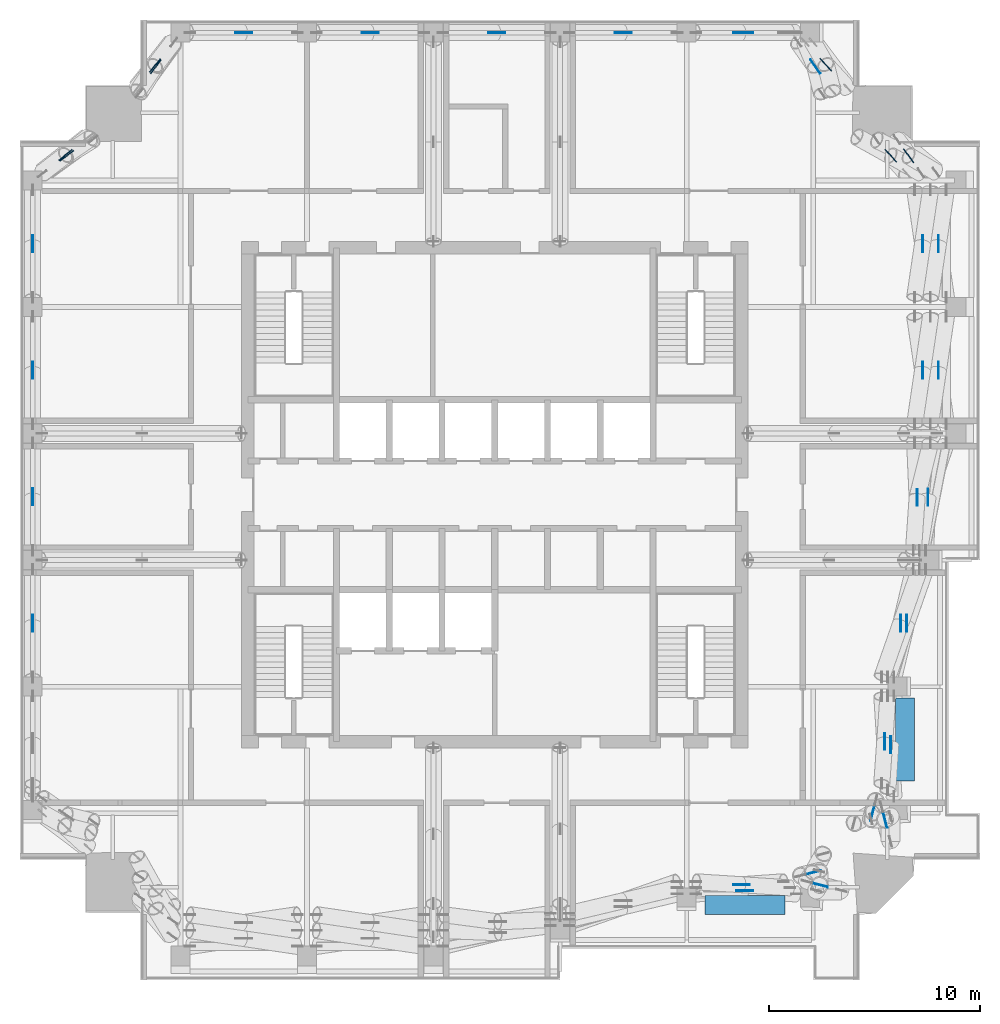
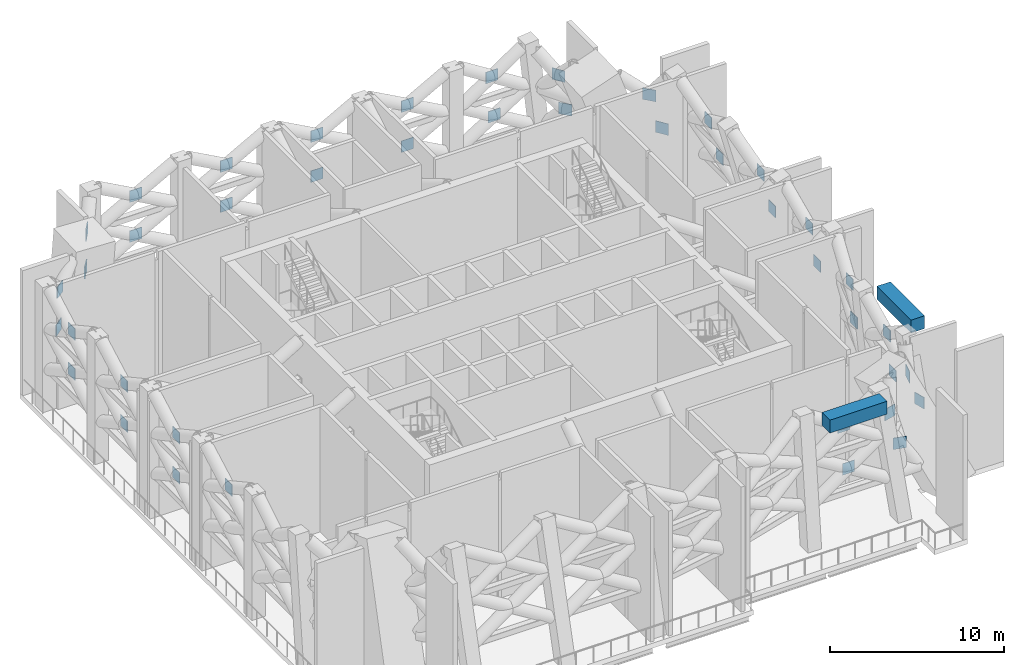
# One storey, part 11 of 18: 43 discrete accessories.
"""IFC4 building model written with IfcOpenShell, lengths in metres."""

from ifc_helpers import new_model, si_unit, direction, frame, origin, origin_2d, place, context, subcontext, project, spatial, rectangle, extrude, element, save


model = new_model("IFC4")

# Units and contexts
model_context = context("Model", 3, precision=1e-05, world=origin(), true_north=direction((0.0, 1.0)))
body_context = subcontext(model_context, "Body", "Model", "MODEL_VIEW")
ifc_project = project(units=[si_unit("LENGTHUNIT", "METRE"), si_unit("AREAUNIT", "SQUARE_METRE"), si_unit("VOLUMEUNIT", "CUBIC_METRE"), si_unit("PLANEANGLEUNIT", "RADIAN"), si_unit("MASSUNIT", "GRAM", prefix="KILO")], contexts=[model_context])

# Site, building, storey
site_placement = place(None, origin())
site = spatial("IfcSite", under=ifc_project, at=site_placement, CompositionType="ELEMENT")
building_placement = place(site_placement, origin())
building = spatial("IfcBuilding", under=site, at=building_placement, Name="Amberfall Residences", CompositionType="ELEMENT")
storey_placement = place(building_placement, frame((0.0, 0.0, 229.89990234375)))
storey = spatial("IfcBuildingStorey", under=building, at=storey_placement, Name="L62", CompositionType="ELEMENT", Elevation=229.89990234375)

# Discrete accessories
for number, where, z_axis, x_axis, name in (
    (1, (86.348876953125, 26.7275390625, 3.9462890625), (0.0, 0.0, 1.0), (1.0, 0.0, 0.0), "Connection plate L62"),
    (2, (86.19677734375, 27.015869140625, 6.74951171875), (0.0, 0.0, 1.0), (1.0, 0.0, 0.0), "Connection plate L62"),
    (3, (93.273193359375, 33.651123046875, 3.9462890625), (0.0, 0.0, 1.0), (0.0, 1.0, 0.0), "Connection plate L62"),
    (4, (92.98486328125, 33.80322265625, 6.74951171875), (0.0, 0.0, 1.0), (0.0, 1.0, 0.0), "Connection plate L62"),
    (5, (94.027587890625, 39.39990234375, 3.89990234375), (0.0, 0.0, 1.0), (0.0, 1.0, 0.0), "Connection plate L62"),
    (6, (93.740234375, 39.39990234375, 6.7001953125), (0.0, 0.0, 1.0), (0.0, 1.0, 0.0), "Connection plate L62"),
    (7, (95.037353515625, 45.37890625, 3.888671875), (0.0, 0.0, 1.0), (0.0, 1.0, 0.0), "Connection plate L62"),
    (8, (94.52001953125, 45.368408203125, 6.6826171875), (0.0, 0.0, 1.0), (0.0, 1.0, 0.0), "Connection plate L62"),
    (9, (95.53173828125, 51.39990234375, 3.89990234375), (0.0, 0.0, 1.0), (0.0, 1.0, 0.0), "Connection plate L62"),
    (10, (94.779296875, 51.39990234375, 6.7001953125), (0.0, 0.0, 1.0), (0.0, 1.0, 0.0), "Connection plate L62"),
    (11, (95.53173828125, 57.39990234375, 3.89990234375), (0.0, 0.0, 1.0), (0.0, 1.0, 0.0), "Connection plate L62"),
    (12, (94.779296875, 57.39990234375, 6.7001953125), (0.0, 0.0, 1.0), (0.0, 1.0, 0.0), "Connection plate L62"),
    (13, (62.60009765625, 67.39990234375, 3.89990234375), (0.0, 0.0, 1.0), (1.0, 0.0, 0.0), "Connection plate L62"),
    (14, (62.60009765625, 67.39990234375, 6.7001953125), (0.0, 0.0, 1.0), (1.0, 0.0, 0.0), "Connection plate L62"),
    (15, (68.60009765625, 67.39990234375, 3.89990234375), (0.0, 0.0, 1.0), (1.0, 0.0, 0.0), "Connection plate L62"),
    (16, (68.60009765625, 67.39990234375, 6.7001953125), (0.0, 0.0, 1.0), (1.0, 0.0, 0.0), "Connection plate L62"),
    (17, (74.60009765625, 67.39990234375, 3.89990234375), (0.0, 0.0, 1.0), (1.0, 0.0, 0.0), "Connection plate L62"),
    (18, (74.60009765625, 67.39990234375, 6.7001953125), (0.0, 0.0, 1.0), (1.0, 0.0, 0.0), "Connection plate L62"),
    (19, (80.60009765625, 67.39990234375, 3.89990234375), (0.0, 0.0, 1.0), (1.0, 0.0, 0.0), "Connection plate L62"),
    (20, (80.60009765625, 67.39990234375, 6.7001953125), (0.0, 0.0, 1.0), (1.0, 0.0, 0.0), "Connection plate L62"),
    (21, (86.348876953125, 67.39990234375, 3.9462890625), (0.0, 0.0, 1.0), (1.0, 0.0, 0.0), "Connection plate L62"),
    (22, (86.197509765625, 67.39990234375, 6.74951171875), (0.0, 0.0, 1.0), (1.0, 0.0, 0.0), "Connection plate L62"),
    (23, (52.60009765625, 39.39990234375, 6.7001953125), (0.0, 0.0, 1.0), (0.0, 1.0, 0.0), "Connection plate L62"),
    (24, (52.60009765625, 45.39990234375, 3.89990234375), (0.0, 0.0, 1.0), (0.0, 1.0, 0.0), "Connection plate L62"),
    (25, (52.60009765625, 45.39990234375, 6.7001953125), (0.0, 0.0, 1.0), (0.0, 1.0, 0.0), "Connection plate L62"),
    (26, (52.60009765625, 51.39990234375, 3.89990234375), (0.0, 0.0, 1.0), (0.0, 1.0, 0.0), "Connection plate L62"),
    (27, (52.60009765625, 51.39990234375, 6.7001953125), (0.0, 0.0, 1.0), (0.0, 1.0, 0.0), "Connection plate L62"),
    (28, (52.60009765625, 57.39990234375, 3.89990234375), (0.0, 0.0, 1.0), (0.0, 1.0, 0.0), "Connection plate L62"),
    (29, (52.60009765625, 57.39990234375, 6.7001953125), (0.0, 0.0, 1.0), (0.0, 1.0, 0.0), "Connection plate L62"),
    (30, (94.114990234375, 61.5673828125, 3.8759765625), (0.0, 0.0, 1.0), (0.583654593918, -0.812002041252, 0.0), "Connection plate L62"),
    (31, (93.270263671875, 61.569580078125, 6.501953125), (0.0, 0.0, 1.0), (0.663991467818, -0.747740149159, 0.0), "Connection plate L62"),
    (32, (90.18994140625, 65.88720703125, 3.95703125), (0.0, 0.0, 1.0), (-0.677992905581, 0.73506844578, 0.0), "Connection plate L62"),
    (33, (89.696533203125, 65.79248046875, 6.56787109375), (0.0, 0.0, 1.0), (-0.574591075624, 0.818440648926, 0.0), "Connection plate L62"),
    (34, (58.397705078125, 65.844482421875, 3.9052734375), (0.0, 0.0, 1.0), (0.620600507707, 0.784126909266, 0.0), "Connection plate L62"),
    (35, (58.435302734375, 65.783935546875, 6.55224609375), (0.0, 0.0, 1.0), (0.593292446861, 0.804987001446, 0.0), "Connection plate L62"),
    (36, (54.155517578125, 61.602294921875, 3.9052734375), (0.0, 0.0, 1.0), (-0.784126909266, -0.620600507707, 0.0), "Connection plate L62"),
    (37, (54.216064453125, 61.564697265625, 6.55224609375), (0.0, 0.0, 1.0), (-0.804987001446, -0.593292446861, 0.0), "Connection plate L62"),
    (38, (92.9970703125, 30.097412109375, 4.26806640625), (0.0, 0.0, 1.0), (-0.249197002009, 0.968452814643, 0.0), "Connection plate L62"),
    (39, (92.410400390625, 30.42333984375, 6.14892578125), (0.0, 0.0, 1.0), (0.24715122231, 0.968976920938, 0.0), "Connection plate L62"),
    (40, (89.902587890625, 27.0029296875, 4.26806640625), (0.0, 0.0, 1.0), (-0.968452814643, 0.249197002009, 0.0), "Connection plate L62"),
    (41, (89.57666015625, 27.589599609375, 6.14892578125), (0.0, 0.0, 1.0), (-0.968976920938, -0.24715122231, 0.0), "Connection plate L62"),
):
    element("IfcDiscreteAccessory", number, at=place(storey_placement, frame(where, z_axis=z_axis, x_axis=x_axis)), inside=storey, Name=name, PredefinedType="BRACKET", context=body_context, shape_type="SweptSolid", body=[
        extrude(rectangle(XDim=0.800048828125, YDim=0.0400390625, at=origin_2d()), origin(), (0.0, 0.0, 1.0), 0.800048828125),
    ])
discrete_accessory_1_placement = place(storey_placement, frame((86.3603515625, 26.050048828125, 8.10009765625), z_axis=(0.0, 0.0, 1.0), x_axis=(1.0, 0.0, 0.0)))
element("IfcDiscreteAccessory", 42, at=discrete_accessory_1_placement, inside=storey, Name="Planter box L63 S3", ObjectType="PLANTER BOX", PredefinedType="USERDEFINED", context=body_context, shape_type="SweptSolid", body=[
    extrude(rectangle(XDim=3.779296875, YDim=0.89990234375, at=origin_2d()), origin(), (0.0, 0.0, 1.0), 0.89990234375),
])
discrete_accessory_2_placement = place(storey_placement, frame((93.949951171875, 33.8994140625, 8.10009765625), z_axis=(0.0, 0.0, 1.0), x_axis=(0.0, 1.0, 0.0)))
element("IfcDiscreteAccessory", 43, at=discrete_accessory_2_placement, inside=storey, Name="Planter box L63 E1", ObjectType="PLANTER BOX", PredefinedType="USERDEFINED", context=body_context, shape_type="SweptSolid", body=[
    extrude(rectangle(XDim=3.92138671875, YDim=0.89990234375, at=origin_2d()), origin(), (0.0, 0.0, 1.0), 0.89990234375),
])

save(model, "model.ifc")
